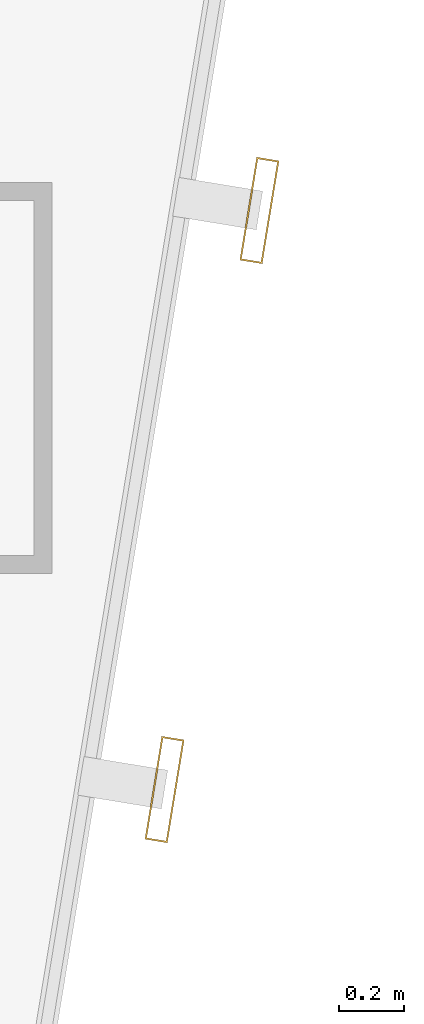
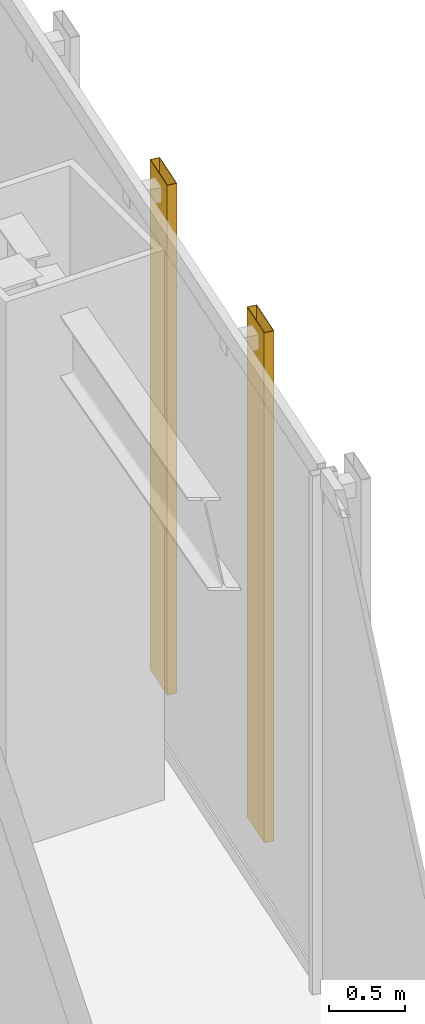
# One storey, part 45 of 47: 2 shading devices.
"""IFC4 building model written with IfcOpenShell, lengths in metres."""

from ifc_helpers import new_model, si_unit, direction, frame, origin, origin_2d, place, context, subcontext, project, spatial, hollow_rectangle, extrude, material, material_profile, profile_set, type_object, element, save


model = new_model("IFC4")

# Units and contexts
model_context = context("Model", 3, precision=1e-05, world=origin(), true_north=direction((0.0, 1.0)))
body_context = subcontext(model_context, "Body", "Model", "MODEL_VIEW")
ifc_project = project(units=[si_unit("LENGTHUNIT", "METRE"), si_unit("AREAUNIT", "SQUARE_METRE"), si_unit("VOLUMEUNIT", "CUBIC_METRE"), si_unit("PLANEANGLEUNIT", "RADIAN"), si_unit("MASSUNIT", "GRAM", prefix="KILO")], contexts=[model_context])

# Site, building, storey
site_placement = place(None, origin())
site = spatial("IfcSite", under=ifc_project, at=site_placement, CompositionType="ELEMENT")
building_placement = place(site_placement, origin())
building = spatial("IfcBuilding", under=site, at=building_placement, Name="Saevonmaru Cultural Tower", CompositionType="ELEMENT")
storey_placement = place(building_placement, frame((0.0, 0.0, 92.800048828125)))
storey = spatial("IfcBuildingStorey", under=building, at=storey_placement, Name="L19", CompositionType="ELEMENT", Elevation=92.800048828125)

# Shading devices
ifc_material = material(Name="Satin Bronze Anodised Aluminium", Category="aluminium")
ifc_material_profile = material_profile(ifc_material, hollow_rectangle(XDim=0.070068359375, YDim=0.320068359375, WallThickness=0.0048828125, at=origin_2d()), Name="FIN-320x70")
ifc_profile_set = profile_set([ifc_material_profile], Name="Satin Bronze Anodised Aluminium")
shading_device_type = type_object("IfcShadingDeviceType", Name="SHD-FIN-320", PredefinedType="JALOUSIE", material=ifc_profile_set)
for number, where, z_axis, x_axis, name in (
    (1, (52.6279296875, 30.737548828125, 0.050048828125), (0.0, 0.0, 1.0), (0.986827496189, -0.161776057456, 0.0), "L19 Art Deco Sawtooth Bronze Fin E8-15"),
    (2, (52.9189453125, 32.513916015625, 0.050048828125), (0.0, 0.0, 1.0), (0.986827496189, -0.161776057456, 0.0), "L19 Art Deco Sawtooth Bronze Fin E8-16"),
):
    element("IfcShadingDevice", number, at=place(storey_placement, frame(where, z_axis=z_axis, x_axis=x_axis)), inside=storey, type_object=shading_device_type, Name=name, PredefinedType="JALOUSIE", context=body_context, shape_type="SweptSolid", body=[
        extrude(hollow_rectangle(XDim=0.070068359375, YDim=0.320068359375, WallThickness=0.0048828125, at=origin_2d()), origin(), (0.0, 0.0, 1.0), 4.079833984375),
    ])

save(model, "model.ifc")
